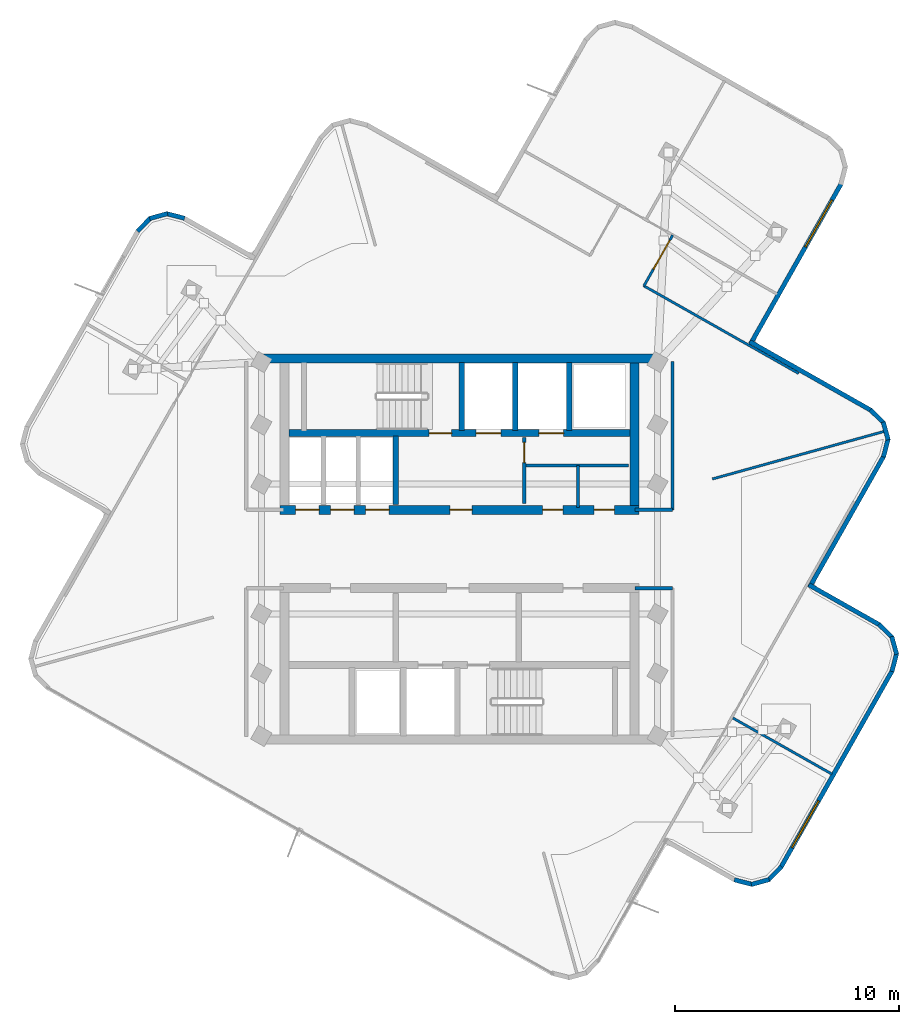
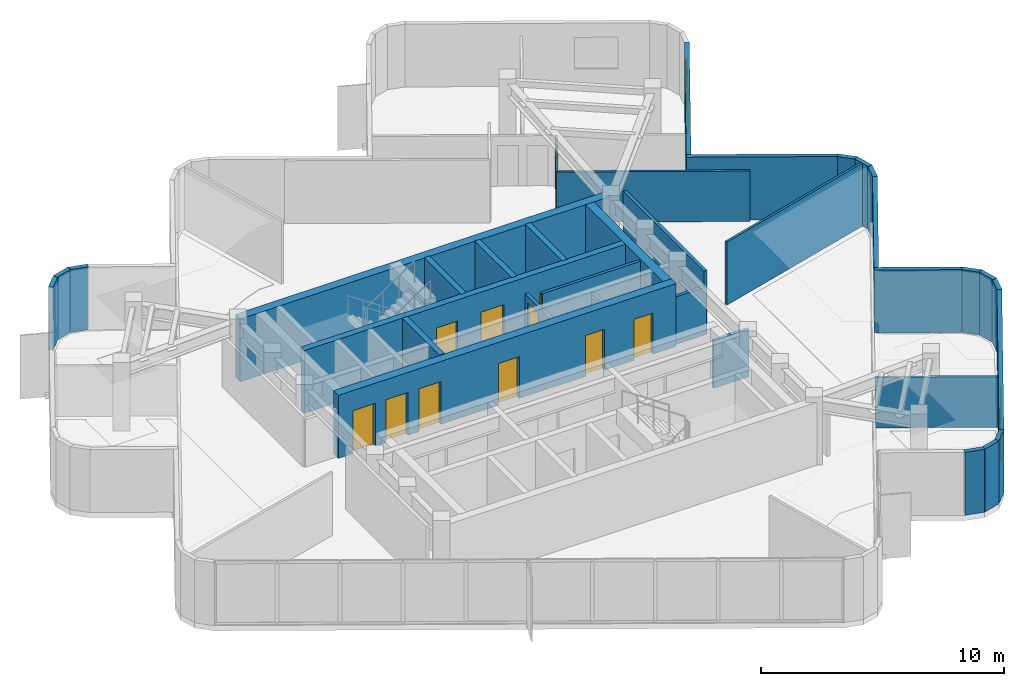
# One storey, part 5 of 9: 35 walls, 11 doors, 2 windows, 13 openings.
"""IFC4 building model written with IfcOpenShell, lengths in metres."""

from ifc_helpers import new_model, si_unit, direction, frame, frame_2d, origin, place, context, subcontext, project, spatial, rectangle, extrude, material, layer, layer_set, type_object, element, fill, save


model = new_model("IFC4")

# Units and contexts
model_context = context("Model", 3, precision=1e-05, world=origin(), true_north=direction((0.0, 1.0)))
body_context = subcontext(model_context, "Body", "Model", "MODEL_VIEW")
ifc_project = project(units=[si_unit("LENGTHUNIT", "METRE"), si_unit("AREAUNIT", "SQUARE_METRE"), si_unit("VOLUMEUNIT", "CUBIC_METRE"), si_unit("PLANEANGLEUNIT", "RADIAN"), si_unit("MASSUNIT", "GRAM", prefix="KILO")], contexts=[model_context])

# Site, building, storey
site_placement = place(None, origin())
site = spatial("IfcSite", under=ifc_project, at=site_placement, CompositionType="ELEMENT")
building_placement = place(site_placement, origin())
building = spatial("IfcBuilding", under=site, at=building_placement, Name="Solmarez Civic Tower", CompositionType="ELEMENT")
storey_placement = place(building_placement, frame((0.0, 0.0, 278.280029296875)))
storey = spatial("IfcBuildingStorey", under=building, at=storey_placement, Name="L75", CompositionType="ELEMENT", Elevation=278.280029296875)

# Wall
ifc_material_1 = material(Name="Concrete C50/60", Category="concrete")
ifc_layer_1 = layer(ifc_material_1, 0.39990234375)
ifc_layer_set_1 = layer_set([ifc_layer_1], Name="Concrete C50/60")
wall_type_1 = type_object("IfcWallType", Name="WALL-CORE-400", PredefinedType="SHEAR", material=ifc_layer_set_1)
wall_1_placement = place(storey_placement, frame((-8.780029296875, 8.510009765625, 0.0), z_axis=(0.0, 0.0, 1.0), x_axis=(1.0, 0.0, 0.0)))
element("IfcWall", 1, at=wall_1_placement, inside=storey, type_object=wall_type_1, Name="L75 Split-Core Structural Wall NCW-N-L75", PredefinedType="SHEAR", context=body_context, shape_type="SweptSolid", body=[
    extrude(rectangle(XDim=17.56005859375, YDim=0.39990234375, at=frame_2d((8.780029296875, 0.0))), origin(), (0.0, 0.0, 1.0), 3.159912109375),
])

# Wall, openings, doors
wall_2_placement = place(storey_placement, frame((8.02001953125, 1.75, 0.0), z_axis=(0.0, 0.0, 1.0), x_axis=(-1.0, 0.0, 0.0)))
wall_2 = element("IfcWall", 2, at=wall_2_placement, inside=storey, type_object=wall_type_1, Name="L75 Split-Core Structural Wall NCW-S-L75", PredefinedType="SHEAR", context=body_context, shape_type="SweptSolid", body=[
    extrude(rectangle(XDim=16.0400390625, YDim=0.39990234375, at=frame_2d((8.02001953125, 0.0))), origin(), (0.0, 0.0, 1.0), 3.159912109375),
])
opening_1_placement = place(wall_2_placement, frame((7.449951171875, 0.0, 0.0)))
opening_1 = element("IfcOpeningElement", 3, at=opening_1_placement, cuts=wall_2, Name="Opening D-04", PredefinedType="OPENING", context=body_context, shape_type="SweptSolid", body=[
    extrude(rectangle(XDim=1.0, YDim=2.10009765625, at=frame_2d((0.5, 1.050048828125))), frame((0.0, 0.2099609375, 0.0), z_axis=(0.0, -1.0, 0.0), x_axis=(1.0, 0.0, 0.0)), (0.0, 0.0, 1.0), 0.419921875),
])
opening_2_placement = place(wall_2_placement, frame((14.284912109375, 0.0, 0.0)))
opening_2 = element("IfcOpeningElement", 4, at=opening_2_placement, cuts=wall_2, Name="Opening LD-01", PredefinedType="OPENING", context=body_context, shape_type="SweptSolid", body=[
    extrude(rectangle(XDim=1.050048828125, YDim=2.14990234375, at=frame_2d((0.52490234375, 1.074951171875))), frame((0.0, 0.2099609375, 0.0), z_axis=(0.0, -1.0, 0.0), x_axis=(1.0, 0.0, 0.0)), (0.0, 0.0, 1.0), 0.419921875),
])
opening_3_placement = place(wall_2_placement, frame((12.72509765625, 0.0, 0.0)))
opening_3 = element("IfcOpeningElement", 5, at=opening_3_placement, cuts=wall_2, Name="Opening LD-01", PredefinedType="OPENING", context=body_context, shape_type="SweptSolid", body=[
    extrude(rectangle(XDim=1.050048828125, YDim=2.14990234375, at=frame_2d((0.52490234375, 1.074951171875))), frame((0.0, 0.2099609375, 0.0), z_axis=(0.0, -1.0, 0.0), x_axis=(1.0, 0.0, 0.0)), (0.0, 0.0, 1.0), 0.419921875),
])
opening_4_placement = place(wall_2_placement, frame((11.1650390625, 0.0, 0.0)))
opening_4 = element("IfcOpeningElement", 6, at=opening_4_placement, cuts=wall_2, Name="Opening LD-01", PredefinedType="OPENING", context=body_context, shape_type="SweptSolid", body=[
    extrude(rectangle(XDim=1.050048828125, YDim=2.14990234375, at=frame_2d((0.52490234375, 1.074951171875))), frame((0.0, 0.2099609375, 0.0), z_axis=(0.0, -1.0, 0.0), x_axis=(1.0, 0.0, 0.0)), (0.0, 0.0, 1.0), 0.419921875),
])
opening_5_placement = place(wall_2_placement, frame((3.39990234375, 0.0, 0.0)))
opening_5 = element("IfcOpeningElement", 7, at=opening_5_placement, cuts=wall_2, Name="Opening D-09", PredefinedType="OPENING", context=body_context, shape_type="SweptSolid", body=[
    extrude(rectangle(XDim=0.89990234375, YDim=2.06005859375, at=frame_2d((0.449951171875, 1.030029296875))), frame((0.0, 0.2099609375, 0.0), z_axis=(0.0, -1.0, 0.0), x_axis=(1.0, 0.0, 0.0)), (0.0, 0.0, 1.0), 0.419921875),
])
opening_6_placement = place(wall_2_placement, frame((1.10009765625, 0.0, 0.0)))
opening_6 = element("IfcOpeningElement", 8, at=opening_6_placement, cuts=wall_2, Name="Opening D-09", PredefinedType="OPENING", context=body_context, shape_type="SweptSolid", body=[
    extrude(rectangle(XDim=0.89990234375, YDim=2.06005859375, at=frame_2d((0.449951171875, 1.030029296875))), frame((0.0, 0.2099609375, 0.0), z_axis=(0.0, -1.0, 0.0), x_axis=(1.0, 0.0, 0.0)), (0.0, 0.0, 1.0), 0.419921875),
])
ifc_material_2 = material(Name="Steel-Faced Acoustic Fire Door", Category="steel")
door_type_1 = type_object("IfcDoorType", Name="DOOR-FD60-1000", OperationType="NOTDEFINED", PredefinedType="DOOR", material=ifc_material_2)
door_1_placement = place(opening_1_placement, origin())
door_1 = element("IfcDoor", 9, at=door_1_placement, inside=storey, type_object=door_type_1, Name="L75 North Firefighting Lobby Door", OperationType="SINGLE_SWING_RIGHT", OverallHeight=2.10009765625, OverallWidth=1.0, PredefinedType="DOOR", context=body_context, shape_type="SweptSolid", body=[
    extrude(rectangle(XDim=1.0, YDim=2.10009765625, at=frame_2d((0.5, 1.050048828125))), frame((0.0, 0.02490234375, 0.0), z_axis=(0.0, -1.0, 0.0), x_axis=(1.0, 0.0, 0.0)), (0.0, 0.0, 1.0), 0.050048828125),
])
fill(opening_1, door_1)
ifc_material_3 = material(Name="Fire-Rated Service Core Door", Category="wood")
door_type_2 = type_object("IfcDoorType", Name="DOOR-FD60-900", OperationType="NOTDEFINED", PredefinedType="DOOR", material=ifc_material_3)
door_2_placement = place(opening_5_placement, origin())
door_2 = element("IfcDoor", 10, at=door_2_placement, inside=storey, type_object=door_type_2, Name="L75 Core WC Door", OperationType="SINGLE_SWING_LEFT", OverallHeight=2.06005859375, OverallWidth=0.89990234375, PredefinedType="DOOR", context=body_context, shape_type="SweptSolid", body=[
    extrude(rectangle(XDim=0.89990234375, YDim=2.06005859375, at=frame_2d((0.449951171875, 1.030029296875))), frame((0.0, 0.02490234375, 0.0), z_axis=(0.0, -1.0, 0.0), x_axis=(1.0, 0.0, 0.0)), (0.0, 0.0, 1.0), 0.050048828125),
])
fill(opening_5, door_2)
door_3_placement = place(opening_6_placement, origin())
door_3 = element("IfcDoor", 11, at=door_3_placement, inside=storey, type_object=door_type_2, Name="L75 Core CL Door", OperationType="SINGLE_SWING_RIGHT", OverallHeight=2.06005859375, OverallWidth=0.89990234375, PredefinedType="DOOR", context=body_context, shape_type="SweptSolid", body=[
    extrude(rectangle(XDim=0.89990234375, YDim=2.06005859375, at=frame_2d((0.449951171875, 1.030029296875))), frame((0.0, 0.02490234375, 0.0), z_axis=(0.0, -1.0, 0.0), x_axis=(1.0, 0.0, 0.0)), (0.0, 0.0, 1.0), 0.050048828125),
])
fill(opening_6, door_3)
ifc_material_4 = material(Name="Bronze Passenger Lift Landing Sliding Door", Category="aluminium")
door_type_3 = type_object("IfcDoorType", Name="DOOR-LD-PAX-1050", OperationType="DOUBLE_DOOR_SLIDING", PredefinedType="DOOR", material=ifc_material_4)
door_4_placement = place(opening_2_placement, origin())
door_4 = element("IfcDoor", 12, at=door_4_placement, inside=storey, type_object=door_type_3, Name="L75 High-Rise Lift Landing Door PL-H1", OperationType="DOUBLE_DOOR_SLIDING", OverallHeight=2.14990234375, OverallWidth=1.050048828125, PredefinedType="DOOR", context=body_context, shape_type="SweptSolid", body=[
    extrude(rectangle(XDim=1.050048828125, YDim=2.14990234375, at=frame_2d((0.52490234375, 1.074951171875))), frame((0.0, 0.02490234375, 0.0), z_axis=(0.0, -1.0, 0.0), x_axis=(1.0, 0.0, 0.0)), (0.0, 0.0, 1.0), 0.050048828125),
])
fill(opening_2, door_4)
door_5_placement = place(opening_3_placement, origin())
door_5 = element("IfcDoor", 13, at=door_5_placement, inside=storey, type_object=door_type_3, Name="L75 High-Rise Lift Landing Door PL-H2", OperationType="DOUBLE_DOOR_SLIDING", OverallHeight=2.14990234375, OverallWidth=1.050048828125, PredefinedType="DOOR", context=body_context, shape_type="SweptSolid", body=[
    extrude(rectangle(XDim=1.050048828125, YDim=2.14990234375, at=frame_2d((0.52490234375, 1.074951171875))), frame((0.0, 0.02490234375, 0.0), z_axis=(0.0, -1.0, 0.0), x_axis=(1.0, 0.0, 0.0)), (0.0, 0.0, 1.0), 0.050048828125),
])
fill(opening_3, door_5)
door_6_placement = place(opening_4_placement, origin())
door_6 = element("IfcDoor", 14, at=door_6_placement, inside=storey, type_object=door_type_3, Name="L75 High-Rise Lift Landing Door PL-H3", OperationType="DOUBLE_DOOR_SLIDING", OverallHeight=2.14990234375, OverallWidth=1.050048828125, PredefinedType="DOOR", context=body_context, shape_type="SweptSolid", body=[
    extrude(rectangle(XDim=1.050048828125, YDim=2.14990234375, at=frame_2d((0.52490234375, 1.074951171875))), frame((0.0, 0.02490234375, 0.0), z_axis=(0.0, -1.0, 0.0), x_axis=(1.0, 0.0, 0.0)), (0.0, 0.0, 1.0), 0.050048828125),
])
fill(opening_4, door_6)

# Walls
wall_3_placement = place(storey_placement, frame((7.820068359375, 8.31005859375, 0.0), z_axis=(0.0, 0.0, 1.0), x_axis=(0.0, -1.0, 0.0)))
element("IfcWall", 15, at=wall_3_placement, inside=storey, type_object=wall_type_1, Name="L75 Split-Core Structural Wall NCW-E-L75", PredefinedType="SHEAR", context=body_context, shape_type="SweptSolid", body=[
    extrude(rectangle(XDim=6.360107421875, YDim=0.39990234375, at=frame_2d((3.18017578125, 0.0))), origin(), (0.0, 0.0, 1.0), 3.159912109375),
])
ifc_material_5 = material(Name="Precast concrete C40/50", Category="concrete")
ifc_layer_2 = layer(ifc_material_5, 0.199951171875)
ifc_layer_set_2 = layer_set([ifc_layer_2], Name="Precast concrete C40/50")
wall_type_2 = type_object("IfcWallType", Name="WALL-EXT-200", PredefinedType="SOLIDWALL", material=ifc_layer_set_2)
wall_4_placement = place(storey_placement, frame((-14.382080078125, 14.19091796875, 0.0), z_axis=(0.0, 0.0, 1.0), x_axis=(0.701706468749, 0.712466161804, 0.0)))
element("IfcWall", 16, at=wall_4_placement, inside=storey, type_object=wall_type_2, Name="L75 Exterior Precast Wall 18", PredefinedType="SOLIDWALL", context=body_context, shape_type="SweptSolid", body=[
    extrude(rectangle(XDim=0.839599609375, YDim=0.199951171875, at=frame_2d((0.419921875, 0.0))), origin(), (0.0, 0.0, 1.0), 3.159912109375),
])
wall_5_placement = place(storey_placement, frame((-13.8349609375, 14.763916015625, 0.0), z_axis=(0.0, 0.0, 1.0), x_axis=(0.963780368541, 0.266697208862, 0.0)))
element("IfcWall", 17, at=wall_5_placement, inside=storey, type_object=wall_type_2, Name="L75 Exterior Precast Wall 19", PredefinedType="SOLIDWALL", context=body_context, shape_type="SweptSolid", body=[
    extrude(rectangle(XDim=0.82470703125, YDim=0.199951171875, at=frame_2d((0.412353515625, 0.0))), origin(), (0.0, 0.0, 1.0), 3.159912109375),
])
wall_6_placement = place(storey_placement, frame((-13.087890625, 14.98291015625, 0.0), z_axis=(0.0, 0.0, 1.0), x_axis=(0.968350107443, -0.249595812096, 0.0)))
element("IfcWall", 18, at=wall_6_placement, inside=storey, type_object=wall_type_2, Name="L75 Exterior Precast Wall 20", PredefinedType="SOLIDWALL", context=body_context, shape_type="SweptSolid", body=[
    extrude(rectangle(XDim=0.83740234375, YDim=0.199951171875, at=frame_2d((0.418701171875, 0.0))), origin(), (0.0, 0.0, 1.0), 3.159912109375),
])

# Wall, opening, window
wall_7_placement = place(storey_placement, frame((17.05810546875, 16.325927734375, 0.0), z_axis=(0.0, 0.0, 1.0), x_axis=(-0.492504245901, -0.870310041175, 0.0)))
wall_7 = element("IfcWall", 19, at=wall_7_placement, inside=storey, type_object=wall_type_2, Name="L75 Exterior Precast Wall 39", PredefinedType="SOLIDWALL", context=body_context, shape_type="SweptSolid", body=[
    extrude(rectangle(XDim=8.24169921875, YDim=0.199951171875, at=frame_2d((4.120849609375, 0.0))), origin(), (0.0, 0.0, 1.0), 3.159912109375),
])
opening_7_placement = place(wall_7_placement, frame((0.85009765625, 0.0, 0.85009765625)))
opening_7 = element("IfcOpeningElement", 20, at=opening_7_placement, cuts=wall_7, Name="Opening W-02", PredefinedType="OPENING", context=body_context, shape_type="SweptSolid", body=[
    extrude(rectangle(XDim=2.39990234375, YDim=2.10009765625, at=frame_2d((1.199951171875, 1.050048828125))), frame((0.0, 0.10986328125, 0.0), z_axis=(0.0, -1.0, 0.0), x_axis=(1.0, 0.0, 0.0)), (0.0, 0.0, 1.0), 0.219970703125),
])
ifc_material_6 = material(Name="Solar Control Bronze-Tinted Insulating Glass", Category="glass")
window_type = type_object("IfcWindowType", Name="WIN-2400X2100", PartitioningType="SINGLE_PANEL", PredefinedType="WINDOW", material=ifc_material_6)
window_1_placement = place(opening_7_placement, origin())
window_1 = element("IfcWindow", 21, at=window_1_placement, inside=storey, type_object=window_type, Name="L75 Exterior Facade Window 39", OverallHeight=2.10009765625, OverallWidth=2.39990234375, PartitioningType="SINGLE_PANEL", PredefinedType="WINDOW", context=body_context, shape_type="SweptSolid", body=[
    extrude(rectangle(XDim=2.39990234375, YDim=2.10009765625, at=frame_2d((1.199951171875, 1.050048828125))), frame((0.0, 0.030029296875, 0.0), z_axis=(0.0, -1.0, 0.0), x_axis=(1.0, 0.0, 0.0)), (0.0, 0.0, 1.0), 0.06005859375),
])
fill(opening_7, window_1)

# Walls
wall_8_placement = place(storey_placement, frame((12.968017578125, 9.261962890625, 0.0), z_axis=(0.0, 0.0, 1.0), x_axis=(0.87026539867, -0.492583125855, 0.0)))
element("IfcWall", 22, at=wall_8_placement, inside=storey, type_object=wall_type_2, Name="L75 Exterior Precast Wall 42", PredefinedType="SOLIDWALL", context=body_context, shape_type="SweptSolid", body=[
    extrude(rectangle(XDim=6.240478515625, YDim=0.199951171875, at=frame_2d((3.1201171875, 0.0))), origin(), (0.0, 0.0, 1.0), 3.159912109375),
])
wall_9_placement = place(storey_placement, frame((18.35888671875, 6.218017578125, 0.0), z_axis=(0.0, 0.0, 1.0), x_axis=(0.712466161804, -0.701706468749, 0.0)))
element("IfcWall", 23, at=wall_9_placement, inside=storey, type_object=wall_type_2, Name="L75 Exterior Precast Wall 43", PredefinedType="SOLIDWALL", context=body_context, shape_type="SweptSolid", body=[
    extrude(rectangle(XDim=0.839599609375, YDim=0.199951171875, at=frame_2d((0.419921875, 0.0))), origin(), (0.0, 0.0, 1.0), 3.159912109375),
])
wall_10_placement = place(storey_placement, frame((18.931884765625, 5.6708984375, 0.0), z_axis=(0.0, 0.0, 1.0), x_axis=(0.268377126675, -0.963313924885, 0.0)))
element("IfcWall", 24, at=wall_10_placement, inside=storey, type_object=wall_type_2, Name="L75 Exterior Precast Wall 44", PredefinedType="SOLIDWALL", context=body_context, shape_type="SweptSolid", body=[
    extrude(rectangle(XDim=0.82421875, YDim=0.199951171875, at=frame_2d((0.412109375, 0.0))), origin(), (0.0, 0.0, 1.0), 3.159912109375),
])
wall_11_placement = place(storey_placement, frame((19.152099609375, 4.925048828125, 0.0), z_axis=(0.0, 0.0, 1.0), x_axis=(-0.250891369276, -0.968015248239, 0.0)))
element("IfcWall", 25, at=wall_11_placement, inside=storey, type_object=wall_type_2, Name="L75 Exterior Precast Wall 45", PredefinedType="SOLIDWALL", context=body_context, shape_type="SweptSolid", body=[
    extrude(rectangle(XDim=0.837890625, YDim=0.199951171875, at=frame_2d((0.4189453125, 0.0))), origin(), (0.0, 0.0, 1.0), 3.159912109375),
])
wall_12_placement = place(storey_placement, frame((18.9599609375, 4.159912109375, 0.0), z_axis=(0.0, 0.0, 1.0), x_axis=(-0.492441425139, -0.870345588147, 0.0)))
element("IfcWall", 26, at=wall_12_placement, inside=storey, type_object=wall_type_2, Name="L75 Exterior Precast Wall 46", PredefinedType="SOLIDWALL", context=body_context, shape_type="SweptSolid", body=[
    extrude(rectangle(XDim=6.741943359375, YDim=0.199951171875, at=frame_2d((3.37109375, 0.0))), origin(), (0.0, 0.0, 1.0), 3.159912109375),
])
wall_13_placement = place(storey_placement, frame((15.60888671875, -1.59912109375, 0.0), z_axis=(0.0, 0.0, 1.0), x_axis=(0.87036421417, -0.49240850388, 0.0)))
element("IfcWall", 27, at=wall_13_placement, inside=storey, type_object=wall_type_2, Name="L75 Exterior Precast Wall 49", PredefinedType="SOLIDWALL", context=body_context, shape_type="SweptSolid", body=[
    extrude(rectangle(XDim=3.64111328125, YDim=0.199951171875, at=frame_2d((1.820556640625, 0.0))), origin(), (0.0, 0.0, 1.0), 3.159912109375),
])
wall_14_placement = place(storey_placement, frame((18.738037109375, -3.362060546875, 0.0), z_axis=(0.0, 0.0, 1.0), x_axis=(0.712468358306, -0.70170423856, 0.0)))
element("IfcWall", 28, at=wall_14_placement, inside=storey, type_object=wall_type_2, Name="L75 Exterior Precast Wall 50", PredefinedType="SOLIDWALL", context=body_context, shape_type="SweptSolid", body=[
    extrude(rectangle(XDim=0.839111328125, YDim=0.199951171875, at=frame_2d((0.41943359375, 0.0))), origin(), (0.0, 0.0, 1.0), 3.159912109375),
])
wall_15_placement = place(storey_placement, frame((19.31103515625, -3.908935546875, 0.0), z_axis=(0.0, 0.0, 1.0), x_axis=(0.267720149776, -0.963496715824, 0.0)))
element("IfcWall", 29, at=wall_15_placement, inside=storey, type_object=wall_type_2, Name="L75 Exterior Precast Wall 51", PredefinedType="SOLIDWALL", context=body_context, shape_type="SweptSolid", body=[
    extrude(rectangle(XDim=0.8251953125, YDim=0.199951171875, at=frame_2d((0.41259765625, 0.0))), origin(), (0.0, 0.0, 1.0), 3.159912109375),
])
wall_16_placement = place(storey_placement, frame((19.531005859375, -4.656005859375, 0.0), z_axis=(0.0, 0.0, 1.0), x_axis=(-0.250618286331, -0.968085985105, 0.0)))
element("IfcWall", 30, at=wall_16_placement, inside=storey, type_object=wall_type_2, Name="L75 Exterior Precast Wall 52", PredefinedType="SOLIDWALL", context=body_context, shape_type="SweptSolid", body=[
    extrude(rectangle(XDim=0.837890625, YDim=0.199951171875, at=frame_2d((0.4189453125, 0.0))), origin(), (0.0, 0.0, 1.0), 3.159912109375),
])

# Wall, opening, window
wall_17_placement = place(storey_placement, frame((19.339111328125, -5.4208984375, 0.0), z_axis=(0.0, 0.0, 1.0), x_axis=(-0.492615794655, -0.870246906835, 0.0)))
wall_17 = element("IfcWall", 31, at=wall_17_placement, inside=storey, type_object=wall_type_2, Name="L75 Exterior Precast Wall 53", PredefinedType="SOLIDWALL", context=body_context, shape_type="SweptSolid", body=[
    extrude(rectangle(XDim=10.12353515625, YDim=0.199951171875, at=frame_2d((5.061767578125, 0.0))), origin(), (0.0, 0.0, 1.0), 3.159912109375),
])
opening_8_placement = place(wall_17_placement, frame((6.696044921875, 0.0, 0.85009765625)))
opening_8 = element("IfcOpeningElement", 32, at=opening_8_placement, cuts=wall_17, Name="Opening W-02", PredefinedType="OPENING", context=body_context, shape_type="SweptSolid", body=[
    extrude(rectangle(XDim=2.39990234375, YDim=2.10009765625, at=frame_2d((1.199951171875, 1.050048828125))), frame((0.0, 0.10986328125, 0.0), z_axis=(0.0, -1.0, 0.0), x_axis=(1.0, 0.0, 0.0)), (0.0, 0.0, 1.0), 0.219970703125),
])
window_2_placement = place(opening_8_placement, origin())
window_2 = element("IfcWindow", 33, at=window_2_placement, inside=storey, type_object=window_type, Name="L75 Exterior Facade Window 53", OverallHeight=2.10009765625, OverallWidth=2.39990234375, PartitioningType="SINGLE_PANEL", PredefinedType="WINDOW", context=body_context, shape_type="SweptSolid", body=[
    extrude(rectangle(XDim=2.39990234375, YDim=2.10009765625, at=frame_2d((1.199951171875, 1.050048828125))), frame((0.0, 0.030029296875, 0.0), z_axis=(0.0, -1.0, 0.0), x_axis=(1.0, 0.0, 0.0)), (0.0, 0.0, 1.0), 0.06005859375),
])
fill(opening_8, window_2)

# Walls
wall_18_placement = place(storey_placement, frame((14.382080078125, -14.19091796875, 0.0), z_axis=(0.0, 0.0, 1.0), x_axis=(-0.701706468749, -0.712466161804, 0.0)))
element("IfcWall", 34, at=wall_18_placement, inside=storey, type_object=wall_type_2, Name="L75 Exterior Precast Wall 54", PredefinedType="SOLIDWALL", context=body_context, shape_type="SweptSolid", body=[
    extrude(rectangle(XDim=0.839599609375, YDim=0.199951171875, at=frame_2d((0.419921875, 0.0))), origin(), (0.0, 0.0, 1.0), 3.159912109375),
])
wall_19_placement = place(storey_placement, frame((13.8349609375, -14.763916015625, 0.0), z_axis=(0.0, 0.0, 1.0), x_axis=(-0.963780368541, -0.266697208862, 0.0)))
element("IfcWall", 35, at=wall_19_placement, inside=storey, type_object=wall_type_2, Name="L75 Exterior Precast Wall 55", PredefinedType="SOLIDWALL", context=body_context, shape_type="SweptSolid", body=[
    extrude(rectangle(XDim=0.82470703125, YDim=0.199951171875, at=frame_2d((0.412353515625, 0.0))), origin(), (0.0, 0.0, 1.0), 3.159912109375),
])
wall_20_placement = place(storey_placement, frame((13.087890625, -14.98291015625, 0.0), z_axis=(0.0, 0.0, 1.0), x_axis=(-0.968350107443, 0.249595812096, 0.0)))
element("IfcWall", 36, at=wall_20_placement, inside=storey, type_object=wall_type_2, Name="L75 Exterior Precast Wall 56", PredefinedType="SOLIDWALL", context=body_context, shape_type="SweptSolid", body=[
    extrude(rectangle(XDim=0.83740234375, YDim=0.199951171875, at=frame_2d((0.418701171875, 0.0))), origin(), (0.0, 0.0, 1.0), 3.159912109375),
])
ifc_material_7 = material(Name="Gypsum Board Acoustic Steel-Stud Partition", Category="steel")
ifc_layer_3 = layer(ifc_material_7, 0.14990234375)
ifc_layer_set_3 = layer_set([ifc_layer_3], Name="Gypsum Board Acoustic Steel-Stud Partition")
wall_type_3 = type_object("IfcWallType", Name="WALL-INT-FIRE-150", PredefinedType="PARTITIONING", material=ifc_layer_set_3)
wall_21_placement = place(storey_placement, frame((9.52001953125, 1.75, 0.0), z_axis=(0.0, 0.0, 1.0), x_axis=(0.0, 1.0, 0.0)))
element("IfcWall", 37, at=wall_21_placement, inside=storey, type_object=wall_type_3, Name="L75 Interior Partition CHW-L75-EN1", PredefinedType="PARTITIONING", context=body_context, shape_type="SweptSolid", body=[
    extrude(rectangle(XDim=6.6298828125, YDim=0.14990234375, at=frame_2d((3.31494140625, 0.0))), origin(), (0.0, 0.0, 1.0), 3.159912109375),
])
for number, where, z_axis, x_axis, name in (
    (38, (7.85009765625, 1.75, 0.0), (0.0, 0.0, 1.0), (1.0, 0.0, 0.0), "L75 Interior Partition CHW-L75-EN3"),
    (39, (7.85009765625, -1.75, 0.0), (0.0, 0.0, 1.0), (1.0, 0.0, 0.0), "L75 Interior Partition CHW-L75-ES3"),
):
    element("IfcWall", number, at=place(storey_placement, frame(where, z_axis=z_axis, x_axis=x_axis)), inside=storey, type_object=wall_type_3, Name=name, PredefinedType="PARTITIONING", context=body_context, shape_type="SweptSolid", body=[
        extrude(rectangle(XDim=1.669921875, YDim=0.14990234375, at=frame_2d((0.8349609375, 0.0))), origin(), (0.0, 0.0, 1.0), 2.389892578125),
    ])
ifc_layer_4 = layer(ifc_material_7, 0.110107421875)
ifc_layer_set_4 = layer_set([ifc_layer_4], Name="Gypsum Board Acoustic Steel-Stud Partition")
wall_type_4 = type_object("IfcWallType", Name="WALL-INT-PART-110", PredefinedType="PARTITIONING", material=ifc_layer_set_4)
wall_22_placement = place(storey_placement, frame((11.300048828125, 3.1298828125, 0.0), z_axis=(0.0, 0.0, 1.0), x_axis=(0.963747113025, 0.26681735726, 0.0)))
element("IfcWall", 40, at=wall_22_placement, inside=storey, type_object=wall_type_4, Name="L75 Interior Partition PT-L75-QDIV-4", PredefinedType="PARTITIONING", context=body_context, shape_type="SweptSolid", body=[
    extrude(rectangle(XDim=7.96875, YDim=0.110107421875, at=frame_2d((3.984375, 0.0))), origin(), (0.0, 0.0, 1.0), 3.159912109375),
])
wall_23_placement = place(storey_placement, frame((15.152099609375, 7.843017578125, 0.0), z_axis=(0.0, 0.0, 1.0), x_axis=(-0.87023152106, 0.492642973921, 0.0)))
element("IfcWall", 41, at=wall_23_placement, inside=storey, type_object=wall_type_4, Name="L75 Interior Partition PT-L75-E-EFR", PredefinedType="PARTITIONING", context=body_context, shape_type="SweptSolid", body=[
    extrude(rectangle(XDim=7.950927734375, YDim=0.110107421875, at=frame_2d((3.9755859375, 0.0))), origin(), (0.0, 0.0, 1.0), 2.530029296875),
])

# Wall, opening, door
wall_24_placement = place(storey_placement, frame((8.241943359375, 11.7548828125, 0.0), z_axis=(0.0, 0.0, 1.0), x_axis=(0.492790693409, 0.870147879667, 0.0)))
wall_24 = element("IfcWall", 42, at=wall_24_placement, inside=storey, type_object=wall_type_4, Name="L75 Interior Partition PT-L75-E-SR", PredefinedType="PARTITIONING", context=body_context, shape_type="SweptSolid", body=[
    extrude(rectangle(XDim=2.60986328125, YDim=0.110107421875, at=frame_2d((1.304931640625, 0.0))), origin(), (0.0, 0.0, 1.0), 2.530029296875),
])
opening_9_placement = place(wall_24_placement, frame((0.85498046875, 0.0, 0.0)))
opening_9 = element("IfcOpeningElement", 43, at=opening_9_placement, cuts=wall_24, Name="Opening D-16", PredefinedType="OPENING", context=body_context, shape_type="SweptSolid", body=[
    extrude(rectangle(XDim=1.5, YDim=2.1201171875, at=frame_2d((0.75, 1.06005859375))), frame((0.0, 0.06494140625, 0.0), z_axis=(0.0, -1.0, 0.0), x_axis=(1.0, 0.0, 0.0)), (0.0, 0.0, 1.0), 0.130126953125),
])
ifc_material_8 = material(Name="Diplomatic Protocol Reception Door", Category="wood")
door_type_4 = type_object("IfcDoorType", Name="DOOR-INT-1500", OperationType="NOTDEFINED", PredefinedType="DOOR", material=ifc_material_8)
door_7_placement = place(opening_9_placement, origin())
door_7 = element("IfcDoor", 44, at=door_7_placement, inside=storey, type_object=door_type_4, Name="L75 Counsel Administration Office East Door", OperationType="SINGLE_SWING_RIGHT", OverallHeight=2.1201171875, OverallWidth=1.5, PredefinedType="DOOR", context=body_context, shape_type="SweptSolid", body=[
    extrude(rectangle(XDim=1.5, YDim=2.1201171875, at=frame_2d((0.75, 1.06005859375))), frame((0.0, 0.02490234375, 0.0), z_axis=(0.0, -1.0, 0.0), x_axis=(1.0, 0.0, 0.0)), (0.0, 0.0, 1.0), 0.050048828125),
])
fill(opening_9, door_7)

# Wall
wall_25_placement = place(storey_placement, frame((12.216064453125, -7.549072265625, 0.0), z_axis=(0.0, 0.0, 1.0), x_axis=(0.870245204201, -0.492618802488, 0.0)))
element("IfcWall", 45, at=wall_25_placement, inside=storey, type_object=wall_type_4, Name="L75 Interior Partition PT-L75-S-ALM", PredefinedType="PARTITIONING", context=body_context, shape_type="SweptSolid", body=[
    extrude(rectangle(XDim=5.084716796875, YDim=0.110107421875, at=frame_2d((2.54248046875, 0.0))), origin(), (0.0, 0.0, 1.0), 2.530029296875),
])

# Wall, opening, door
ifc_layer_5 = layer(ifc_material_7, 0.159912109375)
ifc_layer_set_5 = layer_set([ifc_layer_5], Name="Gypsum Board Acoustic Steel-Stud Partition")
wall_type_5 = type_object("IfcWallType", Name="WALL-INT-SHAFT-160", PredefinedType="PARTITIONING", material=ifc_layer_set_5)
wall_26_placement = place(storey_placement, frame((2.89990234375, 2.0400390625, 0.0), z_axis=(0.0, 0.0, 1.0), x_axis=(0.0, 1.0, 0.0)))
wall_26 = element("IfcWall", 46, at=wall_26_placement, inside=storey, type_object=wall_type_5, Name="L75 Interior Partition SHW-NL2-L75", PredefinedType="PARTITIONING", context=body_context, shape_type="SweptSolid", body=[
    extrude(rectangle(XDim=2.93994140625, YDim=0.159912109375, at=frame_2d((1.469970703125, 0.0))), origin(), (0.0, 0.0, 1.0), 2.389892578125),
])
opening_10_placement = place(wall_26_placement, frame((1.820068359375, 0.0, 0.0)))
opening_10 = element("IfcOpeningElement", 47, at=opening_10_placement, cuts=wall_26, Name="Opening D-09", PredefinedType="OPENING", context=body_context, shape_type="SweptSolid", body=[
    extrude(rectangle(XDim=0.89990234375, YDim=2.06005859375, at=frame_2d((0.449951171875, 1.030029296875))), frame((0.0, 0.08984375, 0.0), z_axis=(0.0, -1.0, 0.0), x_axis=(1.0, 0.0, 0.0)), (0.0, 0.0, 1.0), 0.179931640625),
])
door_8_placement = place(opening_10_placement, origin())
door_8 = element("IfcDoor", 48, at=door_8_placement, inside=storey, type_object=door_type_2, Name="L75 Service Lift Lobby Door", OperationType="SINGLE_SWING_LEFT", OverallHeight=2.06005859375, OverallWidth=0.89990234375, PredefinedType="DOOR", context=body_context, shape_type="SweptSolid", body=[
    extrude(rectangle(XDim=0.89990234375, YDim=2.06005859375, at=frame_2d((0.449951171875, 1.030029296875))), frame((0.0, 0.02490234375, 0.0), z_axis=(0.0, -1.0, 0.0), x_axis=(1.0, 0.0, 0.0)), (0.0, 0.0, 1.0), 0.050048828125),
])
fill(opening_10, door_8)

# Walls
ifc_layer_6 = layer(ifc_material_7, 0.137939453125)
ifc_layer_set_6 = layer_set([ifc_layer_6], Name="Gypsum Board Acoustic Steel-Stud Partition")
wall_type_6 = type_object("IfcWallType", Name="WALL-INT-WET-140", PredefinedType="PARTITIONING", material=ifc_layer_set_6)
wall_27_placement = place(storey_placement, frame((2.89990234375, 3.739990234375, 0.0), z_axis=(0.0, 0.0, 1.0), x_axis=(1.0, 0.0, 0.0)))
element("IfcWall", 49, at=wall_27_placement, inside=storey, type_object=wall_type_6, Name="L75 Interior Partition SHW-SVH-L75", PredefinedType="PARTITIONING", context=body_context, shape_type="SweptSolid", body=[
    extrude(rectangle(XDim=4.650146484375, YDim=0.137939453125, at=frame_2d((2.3251953125, 0.0))), origin(), (0.0, 0.0, 1.0), 3.159912109375),
])
wall_28_placement = place(storey_placement, frame((5.300048828125, 1.85009765625, 0.0), z_axis=(0.0, 0.0, 1.0), x_axis=(0.0, 1.0, 0.0)))
element("IfcWall", 50, at=wall_28_placement, inside=storey, type_object=wall_type_6, Name="L75 Interior Partition PT-NCSV-L75", PredefinedType="PARTITIONING", context=body_context, shape_type="SweptSolid", body=[
    extrude(rectangle(XDim=1.889892578125, YDim=0.137939453125, at=frame_2d((0.94482421875, 0.0))), origin(), (0.0, 0.0, 1.0), 2.389892578125),
])

# Wall, openings, doors
ifc_layer_7 = layer(ifc_material_1, 0.300048828125)
ifc_layer_set_7 = layer_set([ifc_layer_7], Name="Concrete C50/60")
wall_type_7 = type_object("IfcWallType", Name="WALL-STR-300", PredefinedType="SOLIDWALL", material=ifc_layer_set_7)
wall_29_placement = place(storey_placement, frame((7.6201171875, 5.179931640625, 0.0), z_axis=(0.0, 0.0, 1.0), x_axis=(-1.0, 0.0, 0.0)))
wall_29 = element("IfcWall", 51, at=wall_29_placement, inside=storey, type_object=wall_type_7, Name="L75 Split-Core Structural Wall NCW-M-L75", PredefinedType="SOLIDWALL", context=body_context, shape_type="SweptSolid", body=[
    extrude(rectangle(XDim=15.240234375, YDim=0.300048828125, at=frame_2d((7.6201171875, 0.0))), origin(), (0.0, 0.0, 1.0), 3.159912109375),
])
opening_11_placement = place(wall_29_placement, frame((5.77001953125, 0.0, 0.0)))
opening_11 = element("IfcOpeningElement", 52, at=opening_11_placement, cuts=wall_29, Name="Opening LD-02", PredefinedType="OPENING", context=body_context, shape_type="SweptSolid", body=[
    extrude(rectangle(XDim=1.10009765625, YDim=2.14990234375, at=frame_2d((0.550048828125, 1.074951171875))), frame((0.0, 0.159912109375, 0.0), z_axis=(0.0, -1.0, 0.0), x_axis=(1.0, 0.0, 0.0)), (0.0, 0.0, 1.0), 0.320068359375),
])
opening_12_placement = place(wall_29_placement, frame((2.969970703125, 0.0, 0.0)))
opening_12 = element("IfcOpeningElement", 53, at=opening_12_placement, cuts=wall_29, Name="Opening LD-03", PredefinedType="OPENING", context=body_context, shape_type="SweptSolid", body=[
    extrude(rectangle(XDim=1.10009765625, YDim=2.14990234375, at=frame_2d((0.550048828125, 1.074951171875))), frame((0.0, 0.159912109375, 0.0), z_axis=(0.0, -1.0, 0.0), x_axis=(1.0, 0.0, 0.0)), (0.0, 0.0, 1.0), 0.320068359375),
])
opening_13_placement = place(wall_29_placement, frame((7.969970703125, 0.0, 0.0)))
opening_13 = element("IfcOpeningElement", 54, at=opening_13_placement, cuts=wall_29, Name="Opening D-05", PredefinedType="OPENING", context=body_context, shape_type="SweptSolid", body=[
    extrude(rectangle(XDim=1.0, YDim=2.10009765625, at=frame_2d((0.5, 1.050048828125))), frame((0.0, 0.159912109375, 0.0), z_axis=(0.0, -1.0, 0.0), x_axis=(1.0, 0.0, 0.0)), (0.0, 0.0, 1.0), 0.320068359375),
])
ifc_material_9 = material(Name="Fire-Rated Stairwell Exit Door", Category="wood")
door_type_5 = type_object("IfcDoorType", Name="DOOR-FD90-1000", OperationType="NOTDEFINED", PredefinedType="DOOR", material=ifc_material_9)
door_9_placement = place(opening_13_placement, origin())
door_9 = element("IfcDoor", 55, at=door_9_placement, inside=storey, type_object=door_type_5, Name="L75 North Exit Stair Door ST-1", OperationType="SINGLE_SWING_RIGHT", OverallHeight=2.10009765625, OverallWidth=1.0, PredefinedType="DOOR", context=body_context, shape_type="SweptSolid", body=[
    extrude(rectangle(XDim=1.0, YDim=2.10009765625, at=frame_2d((0.5, 1.050048828125))), frame((0.0, 0.02490234375, 0.0), z_axis=(0.0, -1.0, 0.0), x_axis=(1.0, 0.0, 0.0)), (0.0, 0.0, 1.0), 0.050048828125),
])
fill(opening_13, door_9)
ifc_material_10 = material(Name="Stainless Firefighting Lift Landing Sliding Door", Category="aluminium")
door_type_6 = type_object("IfcDoorType", Name="DOOR-LD-FF-1100", OperationType="DOUBLE_DOOR_SLIDING", PredefinedType="DOOR", material=ifc_material_10)
door_10_placement = place(opening_11_placement, origin())
door_10 = element("IfcDoor", 56, at=door_10_placement, inside=storey, type_object=door_type_6, Name="L75 Firefighting Lift Landing Door FFL-1", OperationType="DOUBLE_DOOR_SLIDING", OverallHeight=2.14990234375, OverallWidth=1.10009765625, PredefinedType="DOOR", context=body_context, shape_type="SweptSolid", body=[
    extrude(rectangle(XDim=1.10009765625, YDim=2.14990234375, at=frame_2d((0.550048828125, 1.074951171875))), frame((0.0, 0.02490234375, 0.0), z_axis=(0.0, -1.0, 0.0), x_axis=(1.0, 0.0, 0.0)), (0.0, 0.0, 1.0), 0.050048828125),
])
fill(opening_11, door_10)
ifc_material_11 = material(Name="Stainless Stretcher Lift Landing Sliding Door", Category="aluminium")
door_type_7 = type_object("IfcDoorType", Name="DOOR-LD-SV-1100", OperationType="DOUBLE_DOOR_SLIDING", PredefinedType="DOOR", material=ifc_material_11)
door_11_placement = place(opening_12_placement, origin())
door_11 = element("IfcDoor", 57, at=door_11_placement, inside=storey, type_object=door_type_7, Name="L75 Service Stretcher Lift Landing Door SVL-1", OperationType="DOUBLE_DOOR_SLIDING", OverallHeight=2.14990234375, OverallWidth=1.10009765625, PredefinedType="DOOR", context=body_context, shape_type="SweptSolid", body=[
    extrude(rectangle(XDim=1.10009765625, YDim=2.14990234375, at=frame_2d((0.550048828125, 1.074951171875))), frame((0.0, 0.02490234375, 0.0), z_axis=(0.0, -1.0, 0.0), x_axis=(1.0, 0.0, 0.0)), (0.0, 0.0, 1.0), 0.050048828125),
])
fill(opening_12, door_11)

# Walls
for number, where, z_axis, x_axis, name in (
    (58, (0.10009765625, 5.300048828125, 0.0), (0.0, 0.0, 1.0), (0.0, 1.0, 0.0), "L75 Split-Core Structural Wall SHW-N1-L75"),
    (59, (2.5, 5.300048828125, 0.0), (0.0, 0.0, 1.0), (0.0, 1.0, 0.0), "L75 Split-Core Structural Wall SHW-N2-L75"),
    (60, (4.89990234375, 5.300048828125, 0.0), (0.0, 0.0, 1.0), (0.0, 1.0, 0.0), "L75 Split-Core Structural Wall SHW-N3-L75"),
):
    element("IfcWall", number, at=place(storey_placement, frame(where, z_axis=z_axis, x_axis=x_axis)), inside=storey, type_object=wall_type_7, Name=name, PredefinedType="SOLIDWALL", context=body_context, shape_type="SweptSolid", body=[
        extrude(rectangle(XDim=3.0400390625, YDim=0.25, at=frame_2d((1.52001953125, 0.0))), origin(), (0.0, 0.0, 1.0), 3.159912109375),
    ])
wall_30_placement = place(storey_placement, frame((-2.85009765625, 1.97998046875, 0.0), z_axis=(0.0, 0.0, 1.0), x_axis=(0.0, 1.0, 0.0)))
element("IfcWall", 61, at=wall_30_placement, inside=storey, type_object=wall_type_7, Name="L75 Split-Core Structural Wall SHW-NL1-L75", PredefinedType="SOLIDWALL", context=body_context, shape_type="SweptSolid", body=[
    extrude(rectangle(XDim=3.070068359375, YDim=0.25, at=frame_2d((1.53515625, 0.0))), origin(), (0.0, 0.0, 1.0), 3.159912109375),
])

save(model, "model.ifc")
